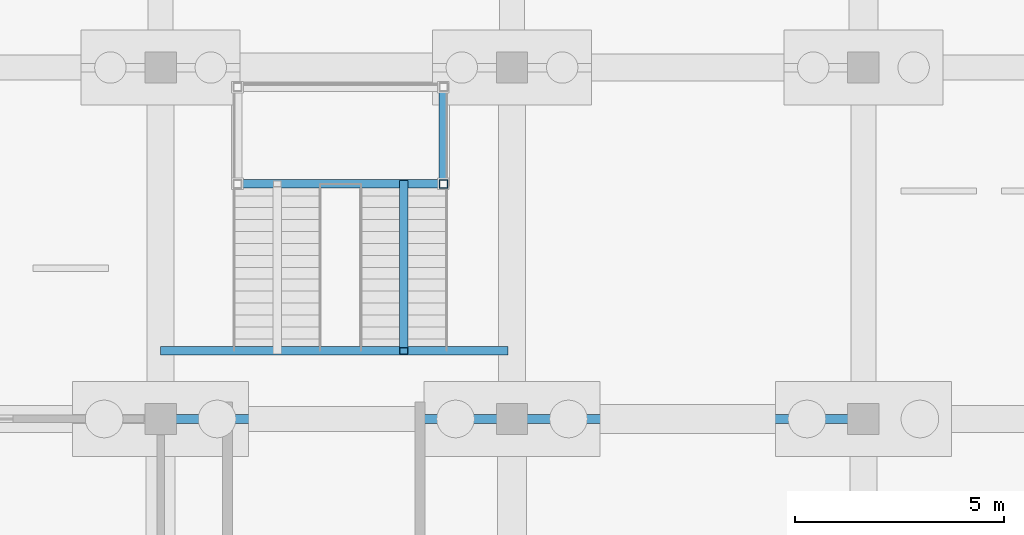
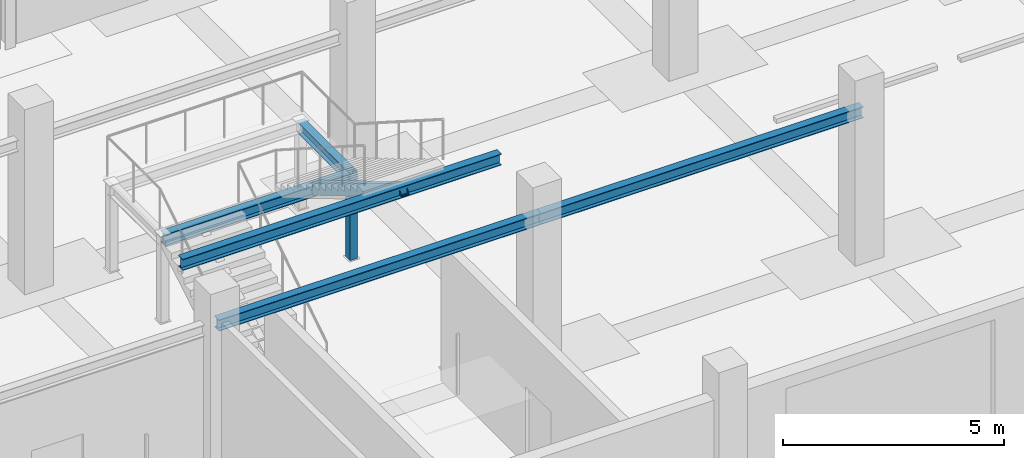
# One storey, part 39 of 119: 5 beams, 2 members.
"""IFC4 building model written with IfcOpenShell, lengths in metres."""

from ifc_helpers import new_model, si_unit, derived_unit, direction, frame, origin, origin_2d, place, context, subcontext, project, spatial, hollow_rectangle, i_section, extrude, material, material_profile, profile_set, type_object, element, save


model = new_model("IFC4")

# Units and contexts
model_context = context("Model", 3, precision=1e-05, world=origin(), true_north=direction((0.0, 1.0)))
body_context = subcontext(model_context, "Body", "Model", "MODEL_VIEW")
ifc_project = project(units=[si_unit("LENGTHUNIT", "METRE"), si_unit("AREAUNIT", "SQUARE_METRE"), si_unit("VOLUMEUNIT", "CUBIC_METRE"), si_unit("PLANEANGLEUNIT", "RADIAN"), si_unit("MASSUNIT", "GRAM", prefix="KILO"), derived_unit("THERMALTRANSMITTANCEUNIT", [(si_unit("MASSUNIT", "GRAM", prefix="KILO"), 1), (si_unit("TIMEUNIT", "SECOND"), -3), (si_unit("THERMODYNAMICTEMPERATUREUNIT", "KELVIN"), -1)])], contexts=[model_context])

# Site, building, storey
site_placement = place(None, origin())
site = spatial("IfcSite", under=ifc_project, at=site_placement, CompositionType="ELEMENT")
building_placement = place(site_placement, origin())
building = spatial("IfcBuilding", under=site, at=building_placement, Name="Makaiwela Harbour Ferry Terminal", CompositionType="ELEMENT")
storey_placement = place(building_placement, origin())
storey = spatial("IfcBuildingStorey", under=building, at=storey_placement, Name="L00", CompositionType="ELEMENT", Elevation=0.0)

# Beams
ifc_material_1 = material(Name="Steel ASTM A992 Grade 50", Category="steel")
ifc_material_profile_1 = material_profile(ifc_material_1, i_section(OverallWidth=0.205078125, OverallDepth=0.31005859375, WebThickness=0.009521484375, FlangeThickness=0.016357421875, at=origin_2d()), Name="W12X50")
ifc_profile_set_1 = profile_set([ifc_material_profile_1], Name="Steel ASTM A992 Grade 50")
beam_type = type_object("IfcBeamType", Name="STR-LNT-W12X50", PredefinedType="LINTEL", material=ifc_profile_set_1)
beam_1_placement = place(storey_placement, frame((71.39990234375, 8.39990234375, 3.949951171875), z_axis=(1.0, 0.0, 0.0), x_axis=(0.0, 1.0, 0.0)))
element("IfcBeam", 1, at=beam_1_placement, inside=storey, type_object=beam_type, Name="Interior aisle lintel 3", PredefinedType="LINTEL", context=body_context, shape_type="SweptSolid", body=[
    extrude(i_section(OverallWidth=0.205078125, OverallDepth=0.31005859375, WebThickness=0.009521484375, FlangeThickness=0.016357421875, at=origin_2d()), origin(), (0.0, 0.0, 1.0), 8.400146484375),
])
beam_2_placement = place(storey_placement, frame((79.800048828125, 8.39990234375, 3.949951171875), z_axis=(1.0, 0.0, 0.0), x_axis=(0.0, 1.0, 0.0)))
element("IfcBeam", 2, at=beam_2_placement, inside=storey, type_object=beam_type, Name="Interior aisle lintel 5", PredefinedType="LINTEL", context=body_context, shape_type="SweptSolid", body=[
    extrude(i_section(OverallWidth=0.205078125, OverallDepth=0.31005859375, WebThickness=0.009521484375, FlangeThickness=0.016357421875, at=origin_2d()), origin(), (0.0, 0.0, 1.0), 8.39990234375),
])
beam_3_placement = place(storey_placement, frame((73.239990234375, 14.02001953125, 2.2451171875), z_axis=(1.0, 0.0, 0.0), x_axis=(0.0, 1.0, 0.0)))
element("IfcBeam", 3, at=beam_3_placement, inside=storey, type_object=beam_type, Name="Stair Landing Beam ST-07-L00-1", PredefinedType="LINTEL", context=body_context, shape_type="SweptSolid", body=[
    extrude(i_section(OverallWidth=0.205078125, OverallDepth=0.31005859375, WebThickness=0.009521484375, FlangeThickness=0.016357421875, at=origin_2d()), origin(), (0.0, 0.0, 1.0), 4.919921875),
])
beam_4_placement = place(storey_placement, frame((78.159912109375, 14.02001953125, 2.2451171875), z_axis=(0.0, 1.0, 0.0), x_axis=(-1.0, 0.0, 0.0)))
element("IfcBeam", 4, at=beam_4_placement, inside=storey, type_object=beam_type, Name="Stair Landing Side Beam ST-07-L00-R", PredefinedType="LINTEL", context=body_context, shape_type="SweptSolid", body=[
    extrude(i_section(OverallWidth=0.205078125, OverallDepth=0.31005859375, WebThickness=0.009521484375, FlangeThickness=0.016357421875, at=origin_2d()), origin(), (0.0, 0.0, 1.0), 2.31005859375),
])
beam_5_placement = place(storey_placement, frame((71.39990234375, 10.030029296875, 4.635009765625), z_axis=(1.0, 0.0, 0.0), x_axis=(0.0, 1.0, 0.0)))
element("IfcBeam", 5, at=beam_5_placement, inside=storey, type_object=beam_type, Name="Stair Arrival Beam ST-07-L00", PredefinedType="LINTEL", context=body_context, shape_type="SweptSolid", body=[
    extrude(i_section(OverallWidth=0.205078125, OverallDepth=0.31005859375, WebThickness=0.009521484375, FlangeThickness=0.016357421875, at=origin_2d()), origin(), (0.0, 0.0, 1.0), 8.30517578125),
])

# Members
ifc_material_2 = material(Name="Steel ASTM A500 Grade C", Category="steel")
ifc_material_profile_2 = material_profile(ifc_material_2, hollow_rectangle(XDim=0.202880859375, YDim=0.202880859375, WallThickness=0.01171875, at=origin_2d()), Name="HSS8X8X1/2")
ifc_profile_set_2 = profile_set([ifc_material_profile_2], Name="Steel ASTM A500 Grade C")
member_type_1 = type_object("IfcMemberType", Name="STR-PST-HSS8", PredefinedType="POST", material=ifc_profile_set_2)
member_1_placement = place(storey_placement, frame((78.159912109375, 14.02001953125, 0.0), z_axis=(0.0, 0.0, 1.0), x_axis=(1.0, 0.0, 0.0)))
element("IfcMember", 6, at=member_1_placement, inside=storey, type_object=member_type_1, Name="Stair Landing Post ST-07-L00-P2", PredefinedType="POST", context=body_context, shape_type="SweptSolid", body=[
    extrude(hollow_rectangle(XDim=0.202880859375, YDim=0.202880859375, WallThickness=0.01171875, at=origin_2d()), origin(), (0.0, 0.0, 1.0), 2.39990234375),
])
ifc_material_profile_3 = material_profile(ifc_material_2, hollow_rectangle(XDim=0.202880859375, YDim=0.304931640625, WallThickness=0.01171875, at=origin_2d()), Name="HSS12X8X1/2")
ifc_profile_set_3 = profile_set([ifc_material_profile_3], Name="Steel ASTM A500 Grade C")
member_type_2 = type_object("IfcMemberType", Name="STR-STR-HSS12X8", PredefinedType="STRINGER", material=ifc_profile_set_3)
member_2_placement = place(storey_placement, frame((77.2099609375, 14.02001953125, 2.2451171875), z_axis=(0.0, -0.857881741154, 0.513847173968), x_axis=(1.0, 0.0, 0.0)))
element("IfcMember", 7, at=member_2_placement, inside=storey, type_object=member_type_2, Name="Stair Stringer ST-07-L00-S2", PredefinedType="STRINGER", context=body_context, shape_type="SweptSolid", body=[
    extrude(hollow_rectangle(XDim=0.202880859375, YDim=0.304931640625, WallThickness=0.01171875, at=origin_2d()), origin(), (0.0, 0.0, 1.0), 4.65087890625),
])

save(model, "model.ifc")
